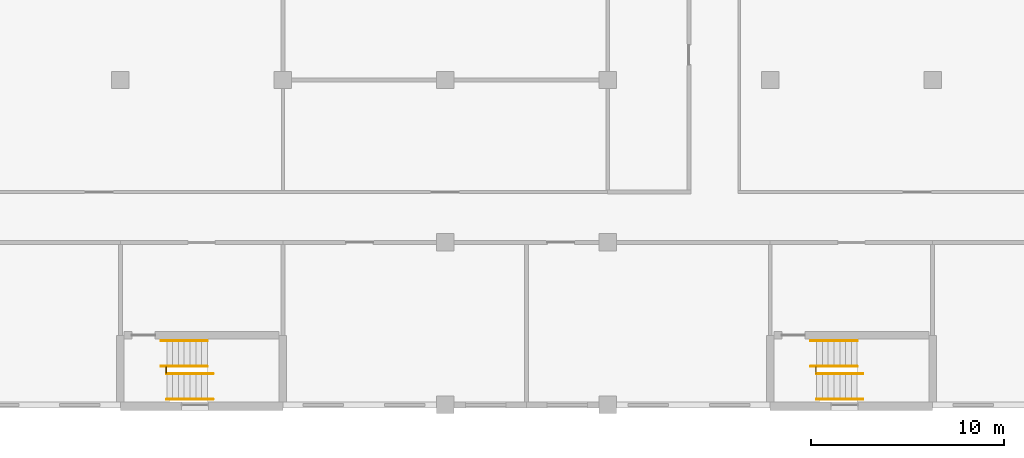
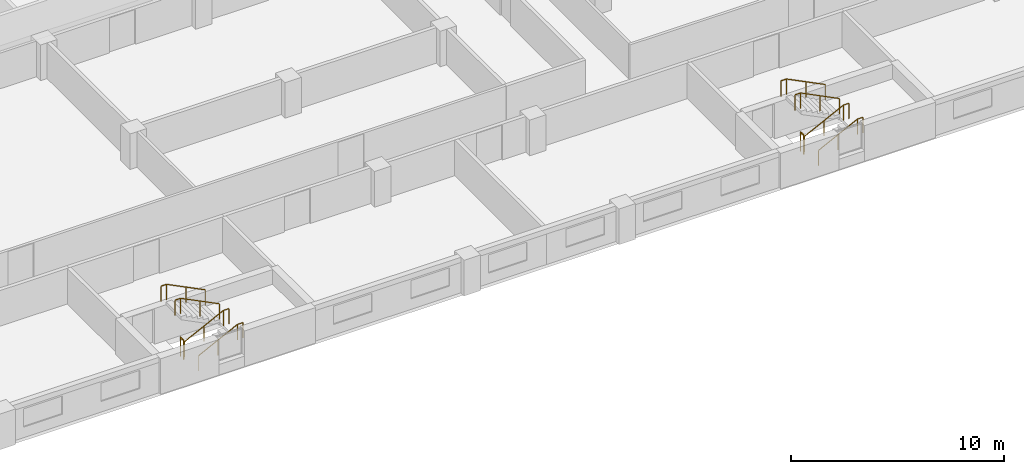
# One storey, part 45 of 48: 10 railings.
"""IFC4 building model written with IfcOpenShell, lengths in metres."""

from ifc_helpers import new_model, si_unit, direction, frame, origin, origin_2d, place, context, subcontext, project, spatial, circle, extrude, material, type_object, element, save


model = new_model("IFC4")

# Units and contexts
model_context = context("Model", 3, precision=1e-05, world=origin(), true_north=direction((0.0, 1.0)))
body_context = subcontext(model_context, "Body", "Model", "MODEL_VIEW")
ifc_project = project(units=[si_unit("LENGTHUNIT", "METRE"), si_unit("AREAUNIT", "SQUARE_METRE"), si_unit("VOLUMEUNIT", "CUBIC_METRE"), si_unit("PLANEANGLEUNIT", "RADIAN"), si_unit("MASSUNIT", "GRAM", prefix="KILO")], contexts=[model_context])

# Site, building, storey
site_placement = place(None, origin())
site = spatial("IfcSite", under=ifc_project, at=site_placement, CompositionType="ELEMENT")
building_placement = place(site_placement, origin())
building = spatial("IfcBuilding", under=site, at=building_placement, Name="Yavir Park General Hospital", CompositionType="ELEMENT")
storey_placement = place(building_placement, frame((0.0, 0.0, 12.89990234375)))
storey = spatial("IfcBuildingStorey", under=building, at=storey_placement, Name="I02", CompositionType="ELEMENT", Elevation=12.89990234375)

# Railings
ifc_material_1 = material(Name="Steel balustrade with infill rods", Category="steel")
railing_type_1 = type_object("IfcRailingType", Name="Stair guard, steel balustrade 1100 mm", PredefinedType="GUARDRAIL", material=ifc_material_1)
for number, where, name in (
    (1, (69.570068359375, 1.64990234375, 0.0), "Stair well guard SU3 I02"),
    (2, (103.169921875, 1.64990234375, 0.0), "Stair well guard SU4 I02"),
):
    element("IfcRailing", number, at=place(storey_placement, frame(where)), inside=storey, type_object=railing_type_1, Name=name, PredefinedType="GUARDRAIL", context=body_context, shape_type="SweptSolid", body=[
        extrude(circle(Radius=0.02392578125, at=origin_2d()), frame((0.0, 0.0, 1.076171875), z_axis=(0.0, 1.0, 0.0), x_axis=(-1.0, 0.0, 0.0)), (0.0, 0.0, 1.0), 0.300048828125),
        extrude(circle(Radius=0.02099609375, at=origin_2d()), origin(), (0.0, 0.0, 1.0), 1.052001953125),
        extrude(circle(Radius=0.02099609375, at=origin_2d()), frame((0.0, 0.300048828125, 0.0)), (0.0, 0.0, 1.0), 1.052001953125),
    ])
ifc_material_2 = material(Name="Stainless steel tube 48 mm", Category="steel")
railing_type_2 = type_object("IfcRailingType", Name="Stair handrail, steel tube, 900 mm above the nosings", PredefinedType="HANDRAIL", material=ifc_material_2)
for number, where, name in (
    (3, (69.60009765625, 0.2900390625, 0.150146484375), "Handrail SU3 I02 1"),
    (4, (69.60009765625, 1.610107421875, 0.150146484375), "Handrail SU3 I02 2"),
):
    element("IfcRailing", number, at=place(storey_placement, frame(where)), inside=storey, type_object=railing_type_2, Name=name, PredefinedType="HANDRAIL", context=body_context, shape_type="SweptSolid", body=[
        extrude(circle(Radius=0.02392578125, at=origin_2d()), frame((0.0, 0.0, 0.8759765625), z_axis=(0.894406392302, 0.0, 0.447255190477), x_axis=(0.0, 1.0, 0.0)), (0.0, 0.0, 1.0), 2.34765625),
        extrude(circle(Radius=0.02392578125, at=origin_2d()), frame((2.099853515625, 0.0, 1.92578125), z_axis=(1.0, 0.0, 0.0), x_axis=(0.0, 1.0, 0.0)), (0.0, 0.0, 1.0), 0.300048828125),
        extrude(circle(Radius=0.02099609375, at=origin_2d()), origin(), (0.0, 0.0, 1.0), 0.851806640625),
        extrude(circle(Radius=0.02099609375, at=origin_2d()), frame((1.0498046875, 0.0, 0.52490234375)), (0.0, 0.0, 1.0), 0.851806640625),
        extrude(circle(Radius=0.02099609375, at=origin_2d()), frame((2.099853515625, 0.0, 1.050048828125)), (0.0, 0.0, 1.0), 0.851806640625),
        extrude(circle(Radius=0.02099609375, at=origin_2d()), frame((2.39990234375, 0.0, 1.050048828125)), (0.0, 0.0, 1.0), 0.851806640625),
    ])
for number, where, name in (
    (5, (71.699951171875, 3.31005859375, 1.35009765625), "Handrail SU3 I02 3"),
    (6, (71.699951171875, 1.989990234375, 1.35009765625), "Handrail SU3 I02 4"),
):
    element("IfcRailing", number, at=place(storey_placement, frame(where)), inside=storey, type_object=railing_type_2, Name=name, PredefinedType="HANDRAIL", context=body_context, shape_type="SweptSolid", body=[
        extrude(circle(Radius=0.02392578125, at=origin_2d()), frame((0.0, 0.0, 0.8759765625), z_axis=(-0.894406392302, 0.0, 0.447255190477), x_axis=(0.0, -1.0, 0.0)), (0.0, 0.0, 1.0), 2.34765625),
        extrude(circle(Radius=0.02392578125, at=origin_2d()), frame((-2.099853515625, 0.0, 1.92578125), z_axis=(-1.0, 0.0, 0.0), x_axis=(0.0, -1.0, 0.0)), (0.0, 0.0, 1.0), 0.300048828125),
        extrude(circle(Radius=0.02099609375, at=origin_2d()), origin(), (0.0, 0.0, 1.0), 0.851806640625),
        extrude(circle(Radius=0.02099609375, at=origin_2d()), frame((-1.0498046875, 0.0, 0.52490234375)), (0.0, 0.0, 1.0), 0.851806640625),
        extrude(circle(Radius=0.02099609375, at=origin_2d()), frame((-2.099853515625, 0.0, 1.050048828125)), (0.0, 0.0, 1.0), 0.851806640625),
        extrude(circle(Radius=0.02099609375, at=origin_2d()), frame((-2.39990234375, 0.0, 1.050048828125)), (0.0, 0.0, 1.0), 0.851806640625),
    ])
for number, where, name in (
    (7, (103.199951171875, 0.2900390625, 0.150146484375), "Handrail SU4 I02 1"),
    (8, (103.199951171875, 1.610107421875, 0.150146484375), "Handrail SU4 I02 2"),
):
    element("IfcRailing", number, at=place(storey_placement, frame(where)), inside=storey, type_object=railing_type_2, Name=name, PredefinedType="HANDRAIL", context=body_context, shape_type="SweptSolid", body=[
        extrude(circle(Radius=0.02392578125, at=origin_2d()), frame((0.0, 0.0, 0.8759765625), z_axis=(0.894427191, 0.0, 0.4472135955), x_axis=(0.0, 1.0, 0.0)), (0.0, 0.0, 1.0), 2.347900390625),
        extrude(circle(Radius=0.02392578125, at=origin_2d()), frame((2.10009765625, 0.0, 1.92578125), z_axis=(1.0, 0.0, 0.0), x_axis=(0.0, 1.0, 0.0)), (0.0, 0.0, 1.0), 0.300048828125),
        extrude(circle(Radius=0.02099609375, at=origin_2d()), origin(), (0.0, 0.0, 1.0), 0.851806640625),
        extrude(circle(Radius=0.02099609375, at=origin_2d()), frame((1.050048828125, 0.0, 0.52490234375)), (0.0, 0.0, 1.0), 0.851806640625),
        extrude(circle(Radius=0.02099609375, at=origin_2d()), frame((2.10009765625, 0.0, 1.050048828125)), (0.0, 0.0, 1.0), 0.851806640625),
        extrude(circle(Radius=0.02099609375, at=origin_2d()), frame((2.400146484375, 0.0, 1.050048828125)), (0.0, 0.0, 1.0), 0.851806640625),
    ])
for number, where, name in (
    (9, (105.300048828125, 3.31005859375, 1.35009765625), "Handrail SU4 I02 3"),
    (10, (105.300048828125, 1.989990234375, 1.35009765625), "Handrail SU4 I02 4"),
):
    element("IfcRailing", number, at=place(storey_placement, frame(where)), inside=storey, type_object=railing_type_2, Name=name, PredefinedType="HANDRAIL", context=body_context, shape_type="SweptSolid", body=[
        extrude(circle(Radius=0.02392578125, at=origin_2d()), frame((0.0, 0.0, 0.8759765625), z_axis=(-0.894427191, 0.0, 0.4472135955), x_axis=(0.0, -1.0, 0.0)), (0.0, 0.0, 1.0), 2.347900390625),
        extrude(circle(Radius=0.02392578125, at=origin_2d()), frame((-2.10009765625, 0.0, 1.92578125), z_axis=(-1.0, 0.0, 0.0), x_axis=(0.0, -1.0, 0.0)), (0.0, 0.0, 1.0), 0.300048828125),
        extrude(circle(Radius=0.02099609375, at=origin_2d()), origin(), (0.0, 0.0, 1.0), 0.851806640625),
        extrude(circle(Radius=0.02099609375, at=origin_2d()), frame((-1.050048828125, 0.0, 0.52490234375)), (0.0, 0.0, 1.0), 0.851806640625),
        extrude(circle(Radius=0.02099609375, at=origin_2d()), frame((-2.10009765625, 0.0, 1.050048828125)), (0.0, 0.0, 1.0), 0.851806640625),
        extrude(circle(Radius=0.02099609375, at=origin_2d()), frame((-2.400146484375, 0.0, 1.050048828125)), (0.0, 0.0, 1.0), 0.851806640625),
    ])

save(model, "model.ifc")
